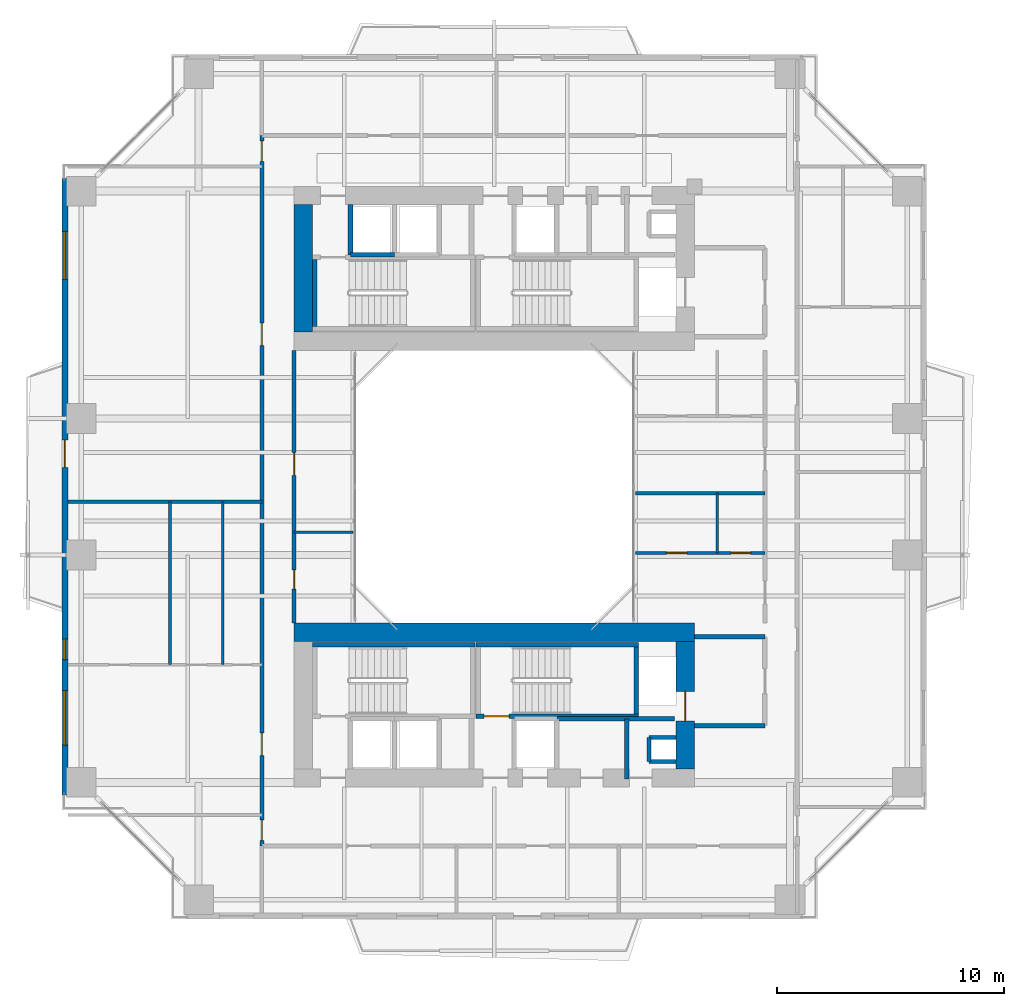
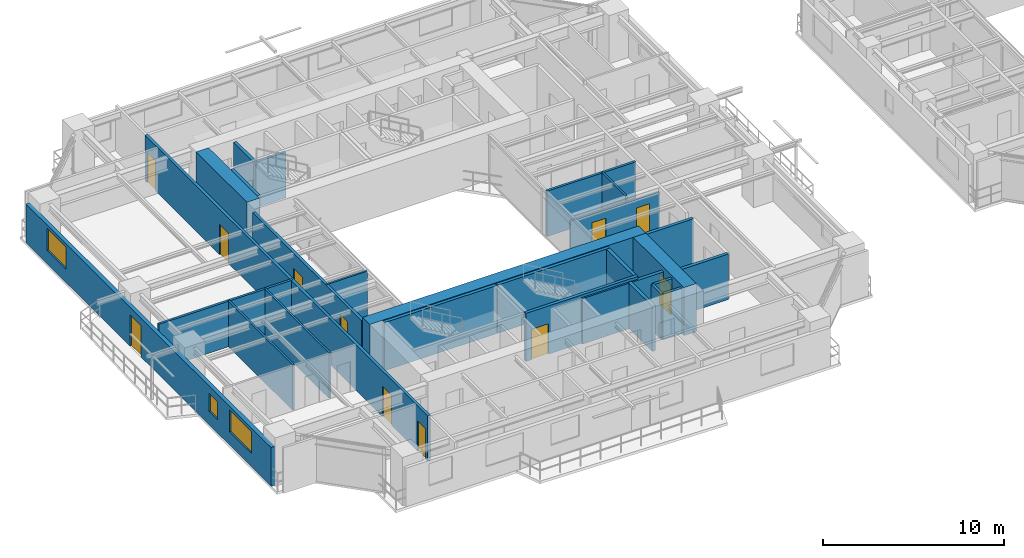
# One storey, part 13 of 23: 27 walls, 11 doors, 3 windows, 14 openings.
"""IFC4 building model written with IfcOpenShell, lengths in metres."""

from ifc_helpers import new_model, si_unit, direction, frame, frame_2d, origin, place, context, subcontext, project, spatial, rectangle, extrude, source, transform, mapped, material, layer, layer_set, type_object, element, fill, save


model = new_model("IFC4")

# Units and contexts
model_context = context("Model", 3, precision=1e-05, world=origin(), true_north=direction((0.0, 1.0)))
body_context = subcontext(model_context, "Body", "Model", "MODEL_VIEW")
ifc_project = project(units=[si_unit("LENGTHUNIT", "METRE"), si_unit("AREAUNIT", "SQUARE_METRE"), si_unit("VOLUMEUNIT", "CUBIC_METRE"), si_unit("PLANEANGLEUNIT", "RADIAN"), si_unit("MASSUNIT", "GRAM", prefix="KILO"), si_unit("THERMODYNAMICTEMPERATUREUNIT", "KELVIN"), si_unit("POWERUNIT", "WATT")], contexts=[model_context])

# Site, building, storey
site_placement = place(None, origin())
site = spatial("IfcSite", under=ifc_project, at=site_placement, CompositionType="ELEMENT")
building_placement = place(site_placement, origin())
building = spatial("IfcBuilding", under=site, at=building_placement, Name="Qiaomeng Ring Towers", CompositionType="ELEMENT")
storey_placement = place(building_placement, frame((0.0, 0.0, 29.5)))
storey = spatial("IfcBuildingStorey", under=building, at=storey_placement, Name="L07", CompositionType="ELEMENT", Elevation=29.5)

# Wall, openings, windows, door
ifc_material_1 = material(Name="Precast concrete C40", Category="concrete")
ifc_layer_1 = layer(ifc_material_1, 0.25, Name="Precast concrete C40")
ifc_layer_set_1 = layer_set([ifc_layer_1], Name="Precast concrete C40")
wall_type_1 = type_object("IfcWallType", Name="ARC-WL-EW1", PredefinedType="STANDARD", material=ifc_layer_set_1)
wall_1_placement = place(storey_placement, frame((0.125, 9.449951171875, 0.0), z_axis=(0.0, 0.0, 1.0), x_axis=(0.0, 1.0, 0.0)))
wall_1 = element("IfcWall", 1, at=wall_1_placement, inside=storey, type_object=wall_type_1, Name="L07 Tower 1 W Exterior Wall", PredefinedType="STANDARD", context=body_context, shape_type="SweptSolid", body=[
    extrude(rectangle(XDim=27.10009765625, YDim=0.25, at=frame_2d((13.550048828125, 0.0))), origin(), (0.0, 0.0, 1.0), 2.610107421875),
])
opening_1_placement = place(wall_1_placement, frame((14.39990234375, 0.0, 0.0)))
opening_1 = element("IfcOpeningElement", 2, at=opening_1_placement, cuts=wall_1, Name="Opening BD1", PredefinedType="OPENING", context=body_context, shape_type="SweptSolid", body=[
    extrude(rectangle(XDim=1.199951171875, YDim=2.10009765625, at=frame_2d((0.60009765625, 1.050048828125))), frame((0.0, 0.135009765625, 0.0), z_axis=(0.0, -1.0, 0.0), x_axis=(1.0, 0.0, 0.0)), (0.0, 0.0, 1.0), 0.27001953125),
])
opening_2_placement = place(wall_1_placement, frame((2.18798828125, 0.0, 0.89990234375)))
opening_2 = element("IfcOpeningElement", 3, at=opening_2_placement, cuts=wall_1, Name="Opening WN6", PredefinedType="OPENING", context=body_context, shape_type="SweptSolid", body=[
    extrude(rectangle(XDim=2.39990234375, YDim=1.47998046875, at=frame_2d((1.199951171875, 0.739990234375))), frame((0.0, 0.135009765625, 0.0), z_axis=(0.0, -1.0, 0.0), x_axis=(1.0, 0.0, 0.0)), (0.0, 0.0, 1.0), 0.27001953125),
])
opening_3_placement = place(wall_1_placement, frame((22.6630859375, 0.0, 0.89990234375)))
opening_3 = element("IfcOpeningElement", 4, at=opening_3_placement, cuts=wall_1, Name="Opening WN4", PredefinedType="OPENING", context=body_context, shape_type="SweptSolid", body=[
    extrude(rectangle(XDim=2.10009765625, YDim=1.47998046875, at=frame_2d((1.050048828125, 0.739990234375))), frame((0.0, 0.135009765625, 0.0), z_axis=(0.0, -1.0, 0.0), x_axis=(1.0, 0.0, 0.0)), (0.0, 0.0, 1.0), 0.27001953125),
])
opening_4_placement = place(wall_1_placement, frame((5.949951171875, 0.0, 0.89990234375)))
opening_4 = element("IfcOpeningElement", 5, at=opening_4_placement, cuts=wall_1, Name="Opening WN5", PredefinedType="OPENING", context=body_context, shape_type="SweptSolid", body=[
    extrude(rectangle(XDim=0.89990234375, YDim=1.199951171875, at=frame_2d((0.449951171875, 0.60009765625))), frame((0.0, 0.135009765625, 0.0), z_axis=(0.0, -1.0, 0.0), x_axis=(1.0, 0.0, 0.0)), (0.0, 0.0, 1.0), 0.27001953125),
])
ifc_material_2 = material(Name="Low-E dark-grey laminated double glazing", Category="glass")
window_type_1 = type_object("IfcWindowType", Name="ARC-WN-4", PartitioningType="TRIPLE_PANEL_VERTICAL", PredefinedType="WINDOW", material=ifc_material_2)
shared_shape_1 = source(origin(), body_context, "Body", "SweptSolid", [
    extrude(rectangle(XDim=2.10009765625, YDim=1.47998046875, at=frame_2d((1.050048828125, 0.739990234375))), frame((0.0, 0.030029296875, 0.0), z_axis=(0.0, -1.0, 0.0), x_axis=(1.0, 0.0, 0.0)), (0.0, 0.0, 1.0), 0.06005859375),
])
window_1_placement = place(opening_3_placement, origin())
window_1 = element("IfcWindow", 6, at=window_1_placement, inside=storey, type_object=window_type_1, Name="L07 Exterior Window WN4", OverallHeight=1.47998046875, OverallWidth=2.10009765625, PartitioningType="TRIPLE_PANEL_VERTICAL", PredefinedType="WINDOW", context=body_context, shape_type="MappedRepresentation", body=[
    mapped(shared_shape_1, transform((0.0, 0.0, 0.0), x_axis=(1.0, 0.0, 0.0), y_axis=(0.0, 1.0, 0.0), z_axis=(0.0, 0.0, 1.0), scale=1.0)),
])
fill(opening_3, window_1)
window_type_2 = type_object("IfcWindowType", Name="ARC-WN-6", PartitioningType="TRIPLE_PANEL_VERTICAL", PredefinedType="WINDOW", material=ifc_material_2)
shared_shape_2 = source(origin(), body_context, "Body", "SweptSolid", [
    extrude(rectangle(XDim=2.39990234375, YDim=1.47998046875, at=frame_2d((1.199951171875, 0.739990234375))), frame((0.0, 0.030029296875, 0.0), z_axis=(0.0, -1.0, 0.0), x_axis=(1.0, 0.0, 0.0)), (0.0, 0.0, 1.0), 0.06005859375),
])
window_2_placement = place(opening_2_placement, origin())
window_2 = element("IfcWindow", 7, at=window_2_placement, inside=storey, type_object=window_type_2, Name="L07 Exterior Window WN6", OverallHeight=1.47998046875, OverallWidth=2.39990234375, PartitioningType="TRIPLE_PANEL_VERTICAL", PredefinedType="WINDOW", context=body_context, shape_type="MappedRepresentation", body=[
    mapped(shared_shape_2, transform((0.0, 0.0, 0.0), x_axis=(1.0, 0.0, 0.0), y_axis=(0.0, 1.0, 0.0), z_axis=(0.0, 0.0, 1.0), scale=1.0)),
])
fill(opening_2, window_2)
door_type_1 = type_object("IfcDoorType", Name="ARC-DR-BD1", OperationType="NOTDEFINED", PredefinedType="DOOR", material=ifc_material_2)
shared_shape_3 = source(origin(), body_context, "Body", "SweptSolid", [
    extrude(rectangle(XDim=1.199951171875, YDim=2.10009765625, at=frame_2d((0.60009765625, 1.050048828125))), frame((0.0, 0.02490234375, 0.0), z_axis=(0.0, -1.0, 0.0), x_axis=(1.0, 0.0, 0.0)), (0.0, 0.0, 1.0), 0.050048828125),
])
door_1_placement = place(opening_1_placement, frame((1.199951171875, 0.0, 0.0), z_axis=(0.0, 0.0, 1.0), x_axis=(-1.0, 0.0, 0.0)))
door_1 = element("IfcDoor", 8, at=door_1_placement, inside=storey, type_object=door_type_1, Name="L07 W Balcony Glazed Door", OperationType="SINGLE_SWING_LEFT", OverallHeight=2.10009765625, OverallWidth=1.199951171875, PredefinedType="DOOR", context=body_context, shape_type="MappedRepresentation", body=[
    mapped(shared_shape_3, transform((0.0, 0.0, 0.0), x_axis=(1.0, 0.0, 0.0), y_axis=(0.0, 1.0, 0.0), z_axis=(0.0, 0.0, 1.0), scale=1.0)),
])
fill(opening_1, door_1)
window_type_3 = type_object("IfcWindowType", Name="ARC-WN-5", PartitioningType="SINGLE_PANEL", PredefinedType="WINDOW", material=ifc_material_2)
shared_shape_4 = source(origin(), body_context, "Body", "SweptSolid", [
    extrude(rectangle(XDim=0.89990234375, YDim=1.199951171875, at=frame_2d((0.449951171875, 0.60009765625))), frame((0.0, 0.030029296875, 0.0), z_axis=(0.0, -1.0, 0.0), x_axis=(1.0, 0.0, 0.0)), (0.0, 0.0, 1.0), 0.06005859375),
])
window_3_placement = place(opening_4_placement, origin())
window_3 = element("IfcWindow", 9, at=window_3_placement, inside=storey, type_object=window_type_3, Name="L07 Exterior Window WN5", OverallHeight=1.199951171875, OverallWidth=0.89990234375, PartitioningType="SINGLE_PANEL", PredefinedType="WINDOW", context=body_context, shape_type="MappedRepresentation", body=[
    mapped(shared_shape_4, transform((0.0, 0.0, 0.0), x_axis=(1.0, 0.0, 0.0), y_axis=(0.0, 1.0, 0.0), z_axis=(0.0, 0.0, 1.0), scale=1.0)),
])
fill(opening_4, window_3)

# Walls
ifc_material_3 = material(Name="Autoclaved aerated concrete block", Category="concrete")
ifc_layer_2 = layer(ifc_material_3, 0.199951171875, Name="Autoclaved aerated concrete block")
ifc_layer_set_2 = layer_set([ifc_layer_2], Name="Autoclaved aerated concrete block")
wall_type_2 = type_object("IfcWallType", Name="ARC-WL-PW1", PredefinedType="PARTITIONING", material=ifc_layer_set_2)
for number, where, z_axis, x_axis, name in (
    (10, (27.800048828125, 16.39990234375, 0.0), (0.0, 0.0, 1.0), (1.0, 0.0, 0.0), "L07 Interior Wall PW1"),
    (11, (27.800048828125, 12.5, 0.0), (0.0, 0.0, 1.0), (1.0, 0.0, 0.0), "L07 Interior Wall PW1"),
):
    element("IfcWall", number, at=place(storey_placement, frame(where, z_axis=z_axis, x_axis=x_axis)), inside=storey, type_object=wall_type_2, Name=name, PredefinedType="PARTITIONING", context=body_context, shape_type="SweptSolid", body=[
        extrude(rectangle(XDim=3.099853515625, YDim=0.199951171875, at=frame_2d((1.5498046875, 0.0))), origin(), (0.0, 0.0, 1.0), 3.070068359375),
    ])
wall_2_placement = place(storey_placement, frame((12.679931640625, 33.18994140625, 0.0), z_axis=(0.0, 0.0, 1.0), x_axis=(0.0, 1.0, 0.0)))
element("IfcWall", 12, at=wall_2_placement, inside=storey, type_object=wall_type_2, Name="L07 Interior Wall PW1", PredefinedType="PARTITIONING", context=body_context, shape_type="SweptSolid", body=[
    extrude(rectangle(XDim=2.2099609375, YDim=0.199951171875, at=frame_2d((1.10498046875, 0.0))), origin(), (0.0, 0.0, 1.0), 3.070068359375),
])
wall_3_placement = place(storey_placement, frame((24.820068359375, 10.14990234375, 0.0), z_axis=(0.0, 0.0, 1.0), x_axis=(0.0, 1.0, 0.0)))
element("IfcWall", 13, at=wall_3_placement, inside=storey, type_object=wall_type_2, Name="L07 Interior Wall PW1", PredefinedType="PARTITIONING", context=body_context, shape_type="SweptSolid", body=[
    extrude(rectangle(XDim=2.650146484375, YDim=0.199951171875, at=frame_2d((1.3251953125, 0.0))), origin(), (0.0, 0.0, 1.0), 3.070068359375),
])
wall_4_placement = place(storey_placement, frame((21.75, 12.800048828125, 0.0), z_axis=(0.0, 0.0, 1.0), x_axis=(1.0, 0.0, 0.0)))
element("IfcWall", 14, at=wall_4_placement, inside=storey, type_object=wall_type_2, Name="L07 Interior Wall PW1", PredefinedType="PARTITIONING", context=body_context, shape_type="SweptSolid", body=[
    extrude(rectangle(XDim=5.169921875, YDim=0.199951171875, at=frame_2d((2.5849609375, 0.0))), origin(), (0.0, 0.0, 1.0), 3.070068359375),
])

# Wall, openings, doors
ifc_layer_3 = layer(ifc_material_3, 0.179931640625, Name="Autoclaved aerated concrete block")
ifc_layer_set_3 = layer_set([ifc_layer_3], Name="Autoclaved aerated concrete block")
wall_type_3 = type_object("IfcWallType", Name="ARC-WL-PW2", PredefinedType="PARTITIONING", material=ifc_layer_set_3)
wall_5_placement = place(storey_placement, frame((8.780029296875, 7.2099609375, 0.0), z_axis=(0.0, 0.0, 1.0), x_axis=(0.0, 1.0, 0.0)))
wall_5 = element("IfcWall", 15, at=wall_5_placement, inside=storey, type_object=wall_type_3, Name="L07 Interior Wall PW2", PredefinedType="PARTITIONING", context=body_context, shape_type="SweptSolid", body=[
    extrude(rectangle(XDim=31.22998046875, YDim=0.179931640625, at=frame_2d((15.614990234375, 0.0))), origin(), (0.0, 0.0, 1.0), 3.070068359375),
])
opening_5_placement = place(wall_5_placement, frame((30.090087890625, 0.0, 0.0)))
opening_5 = element("IfcOpeningElement", 16, at=opening_5_placement, cuts=wall_5, Name="Opening ID1", PredefinedType="OPENING", context=body_context, shape_type="SweptSolid", body=[
    extrude(rectangle(XDim=0.89990234375, YDim=2.050048828125, at=frame_2d((0.449951171875, 1.02490234375))), frame((0.0, 0.099853515625, 0.0), z_axis=(0.0, -1.0, 0.0), x_axis=(1.0, 0.0, 0.0)), (0.0, 0.0, 1.0), 0.199951171875),
])
opening_6_placement = place(wall_5_placement, frame((0.239990234375, 0.0, 0.0)))
opening_6 = element("IfcOpeningElement", 17, at=opening_6_placement, cuts=wall_5, Name="Opening ID1", PredefinedType="OPENING", context=body_context, shape_type="SweptSolid", body=[
    extrude(rectangle(XDim=0.89990234375, YDim=2.050048828125, at=frame_2d((0.449951171875, 1.02490234375))), frame((0.0, 0.099853515625, 0.0), z_axis=(0.0, -1.0, 0.0), x_axis=(1.0, 0.0, 0.0)), (0.0, 0.0, 1.0), 0.199951171875),
])
opening_7_placement = place(wall_5_placement, frame((3.97509765625, 0.0, 0.0)))
opening_7 = element("IfcOpeningElement", 18, at=opening_7_placement, cuts=wall_5, Name="Opening FD4", PredefinedType="OPENING", context=body_context, shape_type="SweptSolid", body=[
    extrude(rectangle(XDim=1.0, YDim=2.050048828125, at=frame_2d((0.5, 1.02490234375))), frame((0.0, 0.099853515625, 0.0), z_axis=(0.0, -1.0, 0.0), x_axis=(1.0, 0.0, 0.0)), (0.0, 0.0, 1.0), 0.199951171875),
])
opening_8_placement = place(wall_5_placement, frame((22.0, 0.0, 0.0)))
opening_8 = element("IfcOpeningElement", 19, at=opening_8_placement, cuts=wall_5, Name="Opening FD4", PredefinedType="OPENING", context=body_context, shape_type="SweptSolid", body=[
    extrude(rectangle(XDim=1.0, YDim=2.050048828125, at=frame_2d((0.5, 1.02490234375))), frame((0.0, 0.099853515625, 0.0), z_axis=(0.0, -1.0, 0.0), x_axis=(1.0, 0.0, 0.0)), (0.0, 0.0, 1.0), 0.199951171875),
])
ifc_material_4 = material(Name="Engineered fire-rated oak timber", Category="wood")
door_type_2 = type_object("IfcDoorType", Name="ARC-DR-FD4", OperationType="NOTDEFINED", PredefinedType="DOOR", material=ifc_material_4)
shared_shape_5 = source(origin(), body_context, "Body", "SweptSolid", [
    extrude(rectangle(XDim=1.0, YDim=2.050048828125, at=frame_2d((0.5, 1.02490234375))), frame((0.0, 0.02490234375, 0.0), z_axis=(0.0, -1.0, 0.0), x_axis=(1.0, 0.0, 0.0)), (0.0, 0.0, 1.0), 0.050048828125),
])
door_2_placement = place(opening_7_placement, origin())
door_2 = element("IfcDoor", 20, at=door_2_placement, inside=storey, type_object=door_type_2, Name="L07 Door FD4", OperationType="SINGLE_SWING_RIGHT", OverallHeight=2.050048828125, OverallWidth=1.0, PredefinedType="DOOR", context=body_context, shape_type="MappedRepresentation", body=[
    mapped(shared_shape_5, transform((0.0, 0.0, 0.0), x_axis=(1.0, 0.0, 0.0), y_axis=(0.0, 1.0, 0.0), z_axis=(0.0, 0.0, 1.0), scale=1.0)),
])
fill(opening_7, door_2)
door_3_placement = place(opening_8_placement, origin())
door_3 = element("IfcDoor", 21, at=door_3_placement, inside=storey, type_object=door_type_2, Name="L07 Door FD4", OperationType="SINGLE_SWING_LEFT", OverallHeight=2.050048828125, OverallWidth=1.0, PredefinedType="DOOR", context=body_context, shape_type="MappedRepresentation", body=[
    mapped(shared_shape_5, transform((0.0, 0.0, 0.0), x_axis=(1.0, 0.0, 0.0), y_axis=(0.0, 1.0, 0.0), z_axis=(0.0, 0.0, 1.0), scale=1.0)),
])
fill(opening_8, door_3)
ifc_material_5 = material(Name="Engineered oak timber", Category="wood")
door_type_3 = type_object("IfcDoorType", Name="ARC-DR-ID1", OperationType="NOTDEFINED", PredefinedType="DOOR", material=ifc_material_5)
shared_shape_6 = source(origin(), body_context, "Body", "SweptSolid", [
    extrude(rectangle(XDim=0.89990234375, YDim=2.050048828125, at=frame_2d((0.449951171875, 1.02490234375))), frame((0.0, 0.02490234375, 0.0), z_axis=(0.0, -1.0, 0.0), x_axis=(1.0, 0.0, 0.0)), (0.0, 0.0, 1.0), 0.050048828125),
])
door_4_placement = place(opening_5_placement, origin())
door_4 = element("IfcDoor", 22, at=door_4_placement, inside=storey, type_object=door_type_3, Name="L07 Door ID1", OperationType="SINGLE_SWING_LEFT", OverallHeight=2.050048828125, OverallWidth=0.89990234375, PredefinedType="DOOR", context=body_context, shape_type="MappedRepresentation", body=[
    mapped(shared_shape_6, transform((0.0, 0.0, 0.0), x_axis=(1.0, 0.0, 0.0), y_axis=(0.0, 1.0, 0.0), z_axis=(0.0, 0.0, 1.0), scale=1.0)),
])
fill(opening_5, door_4)
door_5_placement = place(opening_6_placement, origin())
door_5 = element("IfcDoor", 23, at=door_5_placement, inside=storey, type_object=door_type_3, Name="L07 Door ID1", OperationType="SINGLE_SWING_RIGHT", OverallHeight=2.050048828125, OverallWidth=0.89990234375, PredefinedType="DOOR", context=body_context, shape_type="MappedRepresentation", body=[
    mapped(shared_shape_6, transform((0.0, 0.0, 0.0), x_axis=(1.0, 0.0, 0.0), y_axis=(0.0, 1.0, 0.0), z_axis=(0.0, 0.0, 1.0), scale=1.0)),
])
fill(opening_6, door_5)

wall_6_placement = place(storey_placement, frame((10.199951171875, 17.0, 0.0), z_axis=(0.0, 0.0, 1.0), x_axis=(0.0, 1.0, 0.0)))
wall_6 = element("IfcWall", 24, at=wall_6_placement, inside=storey, type_object=wall_type_3, Name="L07 Interior Wall PW2", PredefinedType="PARTITIONING", context=body_context, shape_type="SweptSolid", body=[
    extrude(rectangle(XDim=12.0, YDim=0.179931640625, at=frame_2d((6.0, 0.0))), origin(), (0.0, 0.0, 1.0), 3.070068359375),
])
opening_9_placement = place(wall_6_placement, frame((1.5, 0.0, 0.0)))
opening_9 = element("IfcOpeningElement", 25, at=opening_9_placement, cuts=wall_6, Name="Opening ID2", PredefinedType="OPENING", context=body_context, shape_type="SweptSolid", body=[
    extrude(rectangle(XDim=0.85009765625, YDim=2.050048828125, at=frame_2d((0.425048828125, 1.02490234375))), frame((0.0, 0.099853515625, 0.0), z_axis=(0.0, -1.0, 0.0), x_axis=(1.0, 0.0, 0.0)), (0.0, 0.0, 1.0), 0.199951171875),
])
opening_10_placement = place(wall_6_placement, frame((6.5, 0.0, 0.0)))
opening_10 = element("IfcOpeningElement", 26, at=opening_10_placement, cuts=wall_6, Name="Opening FD4", PredefinedType="OPENING", context=body_context, shape_type="SweptSolid", body=[
    extrude(rectangle(XDim=1.0, YDim=2.050048828125, at=frame_2d((0.5, 1.02490234375))), frame((0.0, 0.099853515625, 0.0), z_axis=(0.0, -1.0, 0.0), x_axis=(1.0, 0.0, 0.0)), (0.0, 0.0, 1.0), 0.199951171875),
])
door_6_placement = place(opening_10_placement, origin())
door_6 = element("IfcDoor", 27, at=door_6_placement, inside=storey, type_object=door_type_2, Name="L07 Door FD4", OperationType="SINGLE_SWING_LEFT", OverallHeight=2.050048828125, OverallWidth=1.0, PredefinedType="DOOR", context=body_context, shape_type="MappedRepresentation", body=[
    mapped(shared_shape_5, transform((0.0, 0.0, 0.0), x_axis=(1.0, 0.0, 0.0), y_axis=(0.0, 1.0, 0.0), z_axis=(0.0, 0.0, 1.0), scale=1.0)),
])
fill(opening_10, door_6)
ifc_material_6 = material(Name="Moisture-resistant engineered timber", Category="wood")
door_type_4 = type_object("IfcDoorType", Name="ARC-DR-ID2", OperationType="NOTDEFINED", PredefinedType="DOOR", material=ifc_material_6)
shared_shape_7 = source(origin(), body_context, "Body", "SweptSolid", [
    extrude(rectangle(XDim=0.85009765625, YDim=2.050048828125, at=frame_2d((0.425048828125, 1.02490234375))), frame((0.0, 0.02490234375, 0.0), z_axis=(0.0, -1.0, 0.0), x_axis=(1.0, 0.0, 0.0)), (0.0, 0.0, 1.0), 0.050048828125),
])
door_7_placement = place(opening_9_placement, origin())
door_7 = element("IfcDoor", 28, at=door_7_placement, inside=storey, type_object=door_type_4, Name="L07 Door ID2", OperationType="SINGLE_SWING_RIGHT", OverallHeight=2.050048828125, OverallWidth=0.85009765625, PredefinedType="DOOR", context=body_context, shape_type="MappedRepresentation", body=[
    mapped(shared_shape_7, transform((0.0, 0.0, 0.0), x_axis=(1.0, 0.0, 0.0), y_axis=(0.0, 1.0, 0.0), z_axis=(0.0, 0.0, 1.0), scale=1.0)),
])
fill(opening_9, door_7)

# Walls
ifc_material_7 = material(Name="Gypsum fireboard steel-stud partition", Category="steel")
ifc_layer_4 = layer(ifc_material_7, 0.14990234375, Name="Gypsum fireboard steel-stud partition")
ifc_layer_set_4 = layer_set([ifc_layer_4], Name="Gypsum fireboard steel-stud partition")
wall_type_4 = type_object("IfcWallType", Name="ARC-WL-PW3", PredefinedType="PARTITIONING", material=ifc_layer_set_4)
wall_7_placement = place(storey_placement, frame((0.25, 22.340087890625, 0.0), z_axis=(0.0, 0.0, 1.0), x_axis=(1.0, 0.0, 0.0)))
element("IfcWall", 29, at=wall_7_placement, inside=storey, type_object=wall_type_4, Name="L07 Interior Wall PW3", PredefinedType="PARTITIONING", context=body_context, shape_type="SweptSolid", body=[
    extrude(rectangle(XDim=8.530029296875, YDim=0.14990234375, at=frame_2d((4.26513671875, 0.0))), origin(), (0.0, 0.0, 1.0), 3.070068359375),
])
wall_8_placement = place(storey_placement, frame((25.219970703125, 22.719970703125, 0.0), z_axis=(0.0, 0.0, 1.0), x_axis=(1.0, 0.0, 0.0)))
element("IfcWall", 30, at=wall_8_placement, inside=storey, type_object=wall_type_4, Name="L07 Interior Wall PW3", PredefinedType="PARTITIONING", context=body_context, shape_type="SweptSolid", body=[
    extrude(rectangle(XDim=5.679931640625, YDim=0.14990234375, at=frame_2d((2.83984375, 0.0))), origin(), (0.0, 0.0, 1.0), 3.070068359375),
])
ifc_material_8 = material(Name="Moisture-resistant gypsum steel-stud partition", Category="steel")
ifc_layer_5 = layer(ifc_material_8, 0.1201171875, Name="Moisture-resistant gypsum steel-stud partition")
ifc_layer_set_5 = layer_set([ifc_layer_5], Name="Moisture-resistant gypsum steel-stud partition")
wall_type_5 = type_object("IfcWallType", Name="ARC-WL-PW4", PredefinedType="PLUMBINGWALL", material=ifc_layer_set_5)
for number, where, z_axis, x_axis, name in (
    (31, (4.739990234375, 15.179931640625, 0.0), (0.0, 0.0, 1.0), (0.0, 1.0, 0.0), "L07 Interior Wall PW4"),
    (32, (7.06005859375, 15.179931640625, 0.0), (0.0, 0.0, 1.0), (0.0, 1.0, 0.0), "L07 Interior Wall PW4"),
):
    element("IfcWall", number, at=place(storey_placement, frame(where, z_axis=z_axis, x_axis=x_axis)), inside=storey, type_object=wall_type_5, Name=name, PredefinedType="PLUMBINGWALL", context=body_context, shape_type="SweptSolid", body=[
        extrude(rectangle(XDim=7.16015625, YDim=0.1201171875, at=frame_2d((3.580078125, 0.0))), origin(), (0.0, 0.0, 1.0), 3.070068359375),
    ])
wall_9_placement = place(storey_placement, frame((10.199951171875, 21.0, 0.0), z_axis=(0.0, 0.0, 1.0), x_axis=(1.0, 0.0, 0.0)))
element("IfcWall", 33, at=wall_9_placement, inside=storey, type_object=wall_type_5, Name="L07 Interior Wall PW4", PredefinedType="PLUMBINGWALL", context=body_context, shape_type="SweptSolid", body=[
    extrude(rectangle(XDim=2.580078125, YDim=0.1201171875, at=frame_2d((1.2900390625, 0.0))), origin(), (0.0, 0.0, 1.0), 3.070068359375),
])

# Wall, openings, doors
wall_10_placement = place(storey_placement, frame((25.219970703125, 20.090087890625, 0.0), z_axis=(0.0, 0.0, 1.0), x_axis=(1.0, 0.0, 0.0)))
wall_10 = element("IfcWall", 34, at=wall_10_placement, inside=storey, type_object=wall_type_5, Name="L07 Interior Wall PW4", PredefinedType="PLUMBINGWALL", context=body_context, shape_type="SweptSolid", body=[
    extrude(rectangle(XDim=5.679931640625, YDim=0.1201171875, at=frame_2d((2.83984375, 0.0))), origin(), (0.0, 0.0, 1.0), 2.625),
])
opening_11_placement = place(wall_10_placement, frame((1.35009765625, 0.0, 0.0)))
opening_11 = element("IfcOpeningElement", 35, at=opening_11_placement, cuts=wall_10, Name="Opening ID1", PredefinedType="OPENING", context=body_context, shape_type="SweptSolid", body=[
    extrude(rectangle(XDim=0.89990234375, YDim=2.050048828125, at=frame_2d((0.449951171875, 1.02490234375))), frame((0.0, 0.070068359375, 0.0), z_axis=(0.0, -1.0, 0.0), x_axis=(1.0, 0.0, 0.0)), (0.0, 0.0, 1.0), 0.14013671875),
])
opening_12_placement = place(wall_10_placement, frame((4.195068359375, 0.0, 0.0)))
opening_12 = element("IfcOpeningElement", 36, at=opening_12_placement, cuts=wall_10, Name="Opening ID2", PredefinedType="OPENING", context=body_context, shape_type="SweptSolid", body=[
    extrude(rectangle(XDim=0.85009765625, YDim=2.050048828125, at=frame_2d((0.425048828125, 1.02490234375))), frame((0.0, 0.070068359375, 0.0), z_axis=(0.0, -1.0, 0.0), x_axis=(1.0, 0.0, 0.0)), (0.0, 0.0, 1.0), 0.14013671875),
])
door_8_placement = place(opening_12_placement, origin())
door_8 = element("IfcDoor", 37, at=door_8_placement, inside=storey, type_object=door_type_4, Name="L07 Door ID2", OperationType="SINGLE_SWING_LEFT", OverallHeight=2.050048828125, OverallWidth=0.85009765625, PredefinedType="DOOR", context=body_context, shape_type="MappedRepresentation", body=[
    mapped(shared_shape_7, transform((0.0, 0.0, 0.0), x_axis=(1.0, 0.0, 0.0), y_axis=(0.0, 1.0, 0.0), z_axis=(0.0, 0.0, 1.0), scale=1.0)),
])
fill(opening_12, door_8)
door_9_placement = place(opening_11_placement, origin())
door_9 = element("IfcDoor", 38, at=door_9_placement, inside=storey, type_object=door_type_3, Name="L07 Door ID1", OperationType="SINGLE_SWING_RIGHT", OverallHeight=2.050048828125, OverallWidth=0.89990234375, PredefinedType="DOOR", context=body_context, shape_type="MappedRepresentation", body=[
    mapped(shared_shape_6, transform((0.0, 0.0, 0.0), x_axis=(1.0, 0.0, 0.0), y_axis=(0.0, 1.0, 0.0), z_axis=(0.0, 0.0, 1.0), scale=1.0)),
])
fill(opening_11, door_9)

# Walls
wall_11_placement = place(storey_placement, frame((28.800048828125, 20.090087890625, 0.0), z_axis=(0.0, 0.0, 1.0), x_axis=(0.0, 1.0, 0.0)))
element("IfcWall", 39, at=wall_11_placement, inside=storey, type_object=wall_type_5, Name="L07 Interior Wall PW4", PredefinedType="PLUMBINGWALL", context=body_context, shape_type="SweptSolid", body=[
    extrude(rectangle(XDim=2.6298828125, YDim=0.1201171875, at=frame_2d((1.31494140625, 0.0))), origin(), (0.0, 0.0, 1.0), 3.070068359375),
])
ifc_material_9 = material(Name="Concrete C40", Category="concrete")
ifc_layer_6 = layer(ifc_material_9, 0.199951171875, Name="Concrete C40")
ifc_layer_set_6 = layer_set([ifc_layer_6], Name="Concrete C40")
wall_type_6 = type_object("IfcWallType", Name="STR-WL-STSHAFT", PredefinedType="SHEAR", material=ifc_layer_set_6)
wall_12_placement = place(storey_placement, frame((12.679931640625, 33.199951171875, 0.0), z_axis=(0.0, 0.0, 1.0), x_axis=(1.0, 0.0, 0.0)))
element("IfcWall", 40, at=wall_12_placement, inside=storey, type_object=wall_type_6, Name="L07 Lift LP5 Shaft Back Wall", PredefinedType="SHEAR", context=body_context, shape_type="SweptSolid", body=[
    extrude(rectangle(XDim=1.940185546875, YDim=0.179931640625, at=frame_2d((0.97021484375, 0.0))), origin(), (0.0, 0.0, 1.0), 3.070068359375),
])
wall_13_placement = place(storey_placement, frame((25.800048828125, 10.919921875, 0.0), z_axis=(0.0, 0.0, 1.0), x_axis=(0.0, 1.0, 0.0)))
element("IfcWall", 41, at=wall_13_placement, inside=storey, type_object=wall_type_6, Name="L07 Riser RSR1 West Shaft Wall S", PredefinedType="SHEAR", context=body_context, shape_type="SweptSolid", body=[
    extrude(rectangle(XDim=1.06005859375, YDim=0.179931640625, at=frame_2d((0.530029296875, 0.0))), origin(), (0.0, 0.0, 1.0), 3.070068359375),
])
for number, where, z_axis, x_axis, name in (
    (42, (25.800048828125, 11.97998046875, 0.0), (0.0, 0.0, 1.0), (1.0, 0.0, 0.0), "L07 Riser RSR1 North Shaft Wall S"),
    (43, (25.800048828125, 10.919921875, 0.0), (0.0, 0.0, 1.0), (1.0, 0.0, 0.0), "L07 Riser RSR1 South Shaft Wall S"),
):
    element("IfcWall", number, at=place(storey_placement, frame(where, z_axis=z_axis, x_axis=x_axis)), inside=storey, type_object=wall_type_6, Name=name, PredefinedType="SHEAR", context=body_context, shape_type="SweptSolid", body=[
        extrude(rectangle(XDim=1.199951171875, YDim=0.179931640625, at=frame_2d((0.60009765625, 0.0))), origin(), (0.0, 0.0, 1.0), 3.070068359375),
    ])
wall_14_placement = place(storey_placement, frame((11.10009765625, 30.050048828125, 0.0), z_axis=(0.0, 0.0, 1.0), x_axis=(0.0, 1.0, 0.0)))
element("IfcWall", 44, at=wall_14_placement, inside=storey, type_object=wall_type_6, Name="L07 Stair ST1 West Shaft Shear Wall", PredefinedType="SHEAR", context=body_context, shape_type="SweptSolid", body=[
    extrude(rectangle(XDim=2.93994140625, YDim=0.199951171875, at=frame_2d((1.469970703125, 0.0))), origin(), (0.0, 0.0, 1.0), 3.25),
])
wall_15_placement = place(storey_placement, frame((11.0, 16.050048828125, 0.0), z_axis=(0.0, 0.0, 1.0), x_axis=(1.0, 0.0, 0.0)))
element("IfcWall", 45, at=wall_15_placement, inside=storey, type_object=wall_type_6, Name="L07 Stair ST3 North Shaft Shear Wall", PredefinedType="SHEAR", context=body_context, shape_type="SweptSolid", body=[
    extrude(rectangle(XDim=7.14990234375, YDim=0.199951171875, at=frame_2d((3.574951171875, 0.0))), origin(), (0.0, 0.0, 1.0), 3.25),
])

# Wall, opening, door
wall_16_placement = place(storey_placement, frame((18.199951171875, 12.909912109375, 0.0), z_axis=(0.0, 0.0, 1.0), x_axis=(1.0, 0.0, 0.0)))
wall_16 = element("IfcWall", 46, at=wall_16_placement, inside=storey, type_object=wall_type_6, Name="L07 Stair ST4 South Shaft Shear Wall", PredefinedType="SHEAR", context=body_context, shape_type="SweptSolid", body=[
    extrude(rectangle(XDim=7.150146484375, YDim=0.199951171875, at=frame_2d((3.5751953125, 0.0))), origin(), (0.0, 0.0, 1.0), 3.25),
])
opening_13_placement = place(wall_16_placement, frame((0.35009765625, 0.0, 0.0)))
opening_13 = element("IfcOpeningElement", 47, at=opening_13_placement, cuts=wall_16, Name="Opening FD3", PredefinedType="OPENING", context=body_context, shape_type="SweptSolid", body=[
    extrude(rectangle(XDim=1.10009765625, YDim=2.050048828125, at=frame_2d((0.550048828125, 1.02490234375))), frame((0.0, 0.10986328125, 0.0), z_axis=(0.0, -1.0, 0.0), x_axis=(1.0, 0.0, 0.0)), (0.0, 0.0, 1.0), 0.219970703125),
])
ifc_material_10 = material(Name="Galvanised steel", Category="steel")
door_type_5 = type_object("IfcDoorType", Name="ARC-DR-FD3", OperationType="NOTDEFINED", PredefinedType="DOOR", material=ifc_material_10)
shared_shape_8 = source(origin(), body_context, "Body", "SweptSolid", [
    extrude(rectangle(XDim=1.10009765625, YDim=2.050048828125, at=frame_2d((0.550048828125, 1.02490234375))), frame((0.0, 0.02490234375, 0.0), z_axis=(0.0, -1.0, 0.0), x_axis=(1.0, 0.0, 0.0)), (0.0, 0.0, 1.0), 0.050048828125),
])
door_10_placement = place(opening_13_placement, frame((1.10009765625, 0.0, 0.0), z_axis=(0.0, 0.0, 1.0), x_axis=(-1.0, 0.0, 0.0)))
door_10 = element("IfcDoor", 48, at=door_10_placement, inside=storey, type_object=door_type_5, Name="L07 Stair ST4 Exit Door", OperationType="SINGLE_SWING_RIGHT", OverallHeight=2.050048828125, OverallWidth=1.10009765625, PredefinedType="DOOR", context=body_context, shape_type="MappedRepresentation", body=[
    mapped(shared_shape_8, transform((0.0, 0.0, 0.0), x_axis=(1.0, 0.0, 0.0), y_axis=(0.0, 1.0, 0.0), z_axis=(0.0, 0.0, 1.0), scale=1.0)),
])
fill(opening_13, door_10)

# Walls
wall_17_placement = place(storey_placement, frame((18.199951171875, 16.050048828125, 0.0), z_axis=(0.0, 0.0, 1.0), x_axis=(1.0, 0.0, 0.0)))
element("IfcWall", 49, at=wall_17_placement, inside=storey, type_object=wall_type_6, Name="L07 Stair ST4 North Shaft Shear Wall", PredefinedType="SHEAR", context=body_context, shape_type="SweptSolid", body=[
    extrude(rectangle(XDim=7.150146484375, YDim=0.199951171875, at=frame_2d((3.5751953125, 0.0))), origin(), (0.0, 0.0, 1.0), 3.25),
])
wall_18_placement = place(storey_placement, frame((25.25, 13.010009765625, 0.0), z_axis=(0.0, 0.0, 1.0), x_axis=(0.0, 1.0, 0.0)))
element("IfcWall", 50, at=wall_18_placement, inside=storey, type_object=wall_type_6, Name="L07 Stair ST4 East Shaft Shear Wall", PredefinedType="SHEAR", context=body_context, shape_type="SweptSolid", body=[
    extrude(rectangle(XDim=2.93994140625, YDim=0.199951171875, at=frame_2d((1.469970703125, 0.0))), origin(), (0.0, 0.0, 1.0), 3.25),
])
ifc_material_11 = material(Name="Concrete C60", Category="concrete")
ifc_layer_7 = layer(ifc_material_11, 0.800048828125, Name="Concrete C60")
ifc_layer_set_7 = layer_set([ifc_layer_7], Name="Concrete C60")
wall_type_7 = type_object("IfcWallType", Name="STR-WL-SW1", PredefinedType="SHEAR", material=ifc_layer_set_7)
wall_19_placement = place(storey_placement, frame((10.60009765625, 29.800048828125, 0.0), z_axis=(0.0, 0.0, 1.0), x_axis=(0.0, 1.0, 0.0)))
element("IfcWall", 51, at=wall_19_placement, inside=storey, type_object=wall_type_7, Name="L07 T1NC west core shear wall", PredefinedType="SHEAR", context=body_context, shape_type="SweptSolid", body=[
    extrude(rectangle(XDim=5.599853515625, YDim=0.800048828125, at=frame_2d((2.7998046875, 0.0))), origin(), (0.0, 0.0, 1.0), 3.25),
])
wall_20_placement = place(storey_placement, frame((10.199951171875, 16.60009765625, 0.0), z_axis=(0.0, 0.0, 1.0), x_axis=(1.0, 0.0, 0.0)))
element("IfcWall", 52, at=wall_20_placement, inside=storey, type_object=wall_type_7, Name="L07 T1SC north core shear wall", PredefinedType="SHEAR", context=body_context, shape_type="SweptSolid", body=[
    extrude(rectangle(XDim=17.60009765625, YDim=0.800048828125, at=frame_2d((8.800048828125, 0.0))), origin(), (0.0, 0.0, 1.0), 3.25),
])

# Wall, opening, door
wall_21_placement = place(storey_placement, frame((27.39990234375, 10.60009765625, 0.0), z_axis=(0.0, 0.0, 1.0), x_axis=(0.0, 1.0, 0.0)))
wall_21 = element("IfcWall", 53, at=wall_21_placement, inside=storey, type_object=wall_type_7, Name="L07 T1SC east core shear wall", PredefinedType="SHEAR", context=body_context, shape_type="SweptSolid", body=[
    extrude(rectangle(XDim=5.599853515625, YDim=0.800048828125, at=frame_2d((2.7998046875, 0.0))), origin(), (0.0, 0.0, 1.0), 3.25),
])
opening_14_placement = place(wall_21_placement, frame((2.10009765625, 0.0, 0.0)))
opening_14 = element("IfcOpeningElement", 54, at=opening_14_placement, cuts=wall_21, Name="Opening LD2", PredefinedType="OPENING", context=body_context, shape_type="SweptSolid", body=[
    extrude(rectangle(XDim=1.300048828125, YDim=2.050048828125, at=frame_2d((0.64990234375, 1.02490234375))), frame((0.0, 0.409912109375, 0.0), z_axis=(0.0, -1.0, 0.0), x_axis=(1.0, 0.0, 0.0)), (0.0, 0.0, 1.0), 0.820068359375),
])
ifc_material_12 = material(Name="Stainless steel 316", Category="steel")
door_type_6 = type_object("IfcDoorType", Name="ARC-DR-LD2", OperationType="NOTDEFINED", PredefinedType="DOOR", material=ifc_material_12)
shared_shape_9 = source(origin(), body_context, "Body", "SweptSolid", [
    extrude(rectangle(XDim=1.300048828125, YDim=2.050048828125, at=frame_2d((0.64990234375, 1.02490234375))), frame((0.0, 0.02490234375, 0.0), z_axis=(0.0, -1.0, 0.0), x_axis=(1.0, 0.0, 0.0)), (0.0, 0.0, 1.0), 0.050048828125),
])
door_11_placement = place(opening_14_placement, origin())
door_11 = element("IfcDoor", 55, at=door_11_placement, inside=storey, type_object=door_type_6, Name="L07 Firefighting Lift FL2 Landing Door", OperationType="SLIDING_TO_RIGHT", OverallHeight=2.050048828125, OverallWidth=1.300048828125, PredefinedType="DOOR", context=body_context, shape_type="MappedRepresentation", body=[
    mapped(shared_shape_9, transform((0.0, 0.0, 0.0), x_axis=(1.0, 0.0, 0.0), y_axis=(0.0, 1.0, 0.0), z_axis=(0.0, 0.0, 1.0), scale=1.0)),
])
fill(opening_14, door_11)

save(model, "model.ifc")
